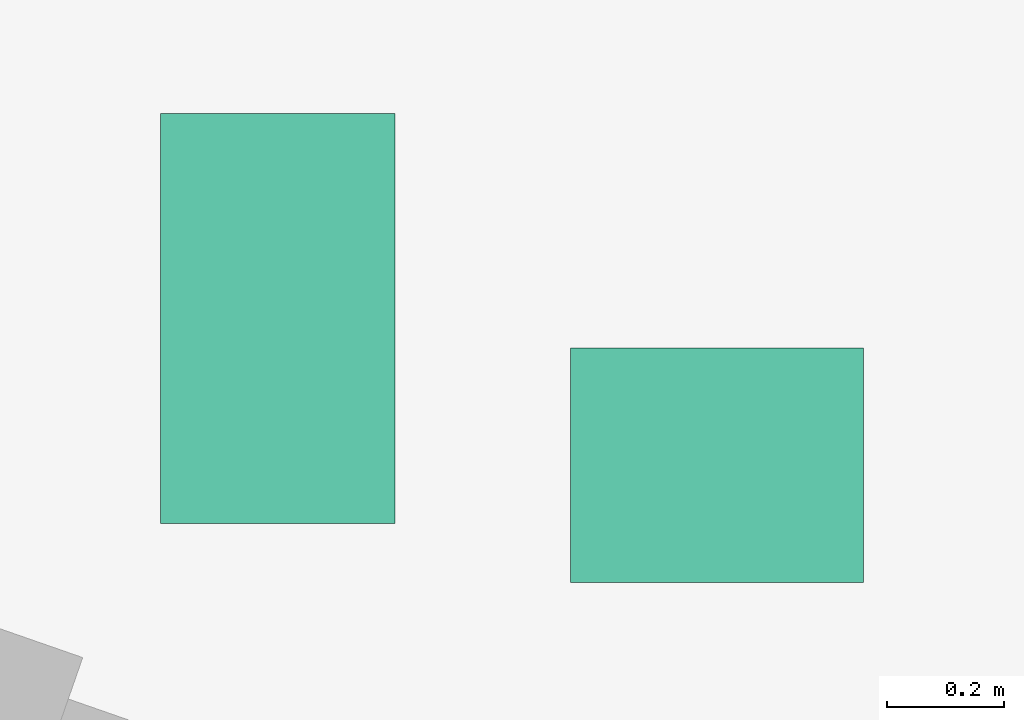
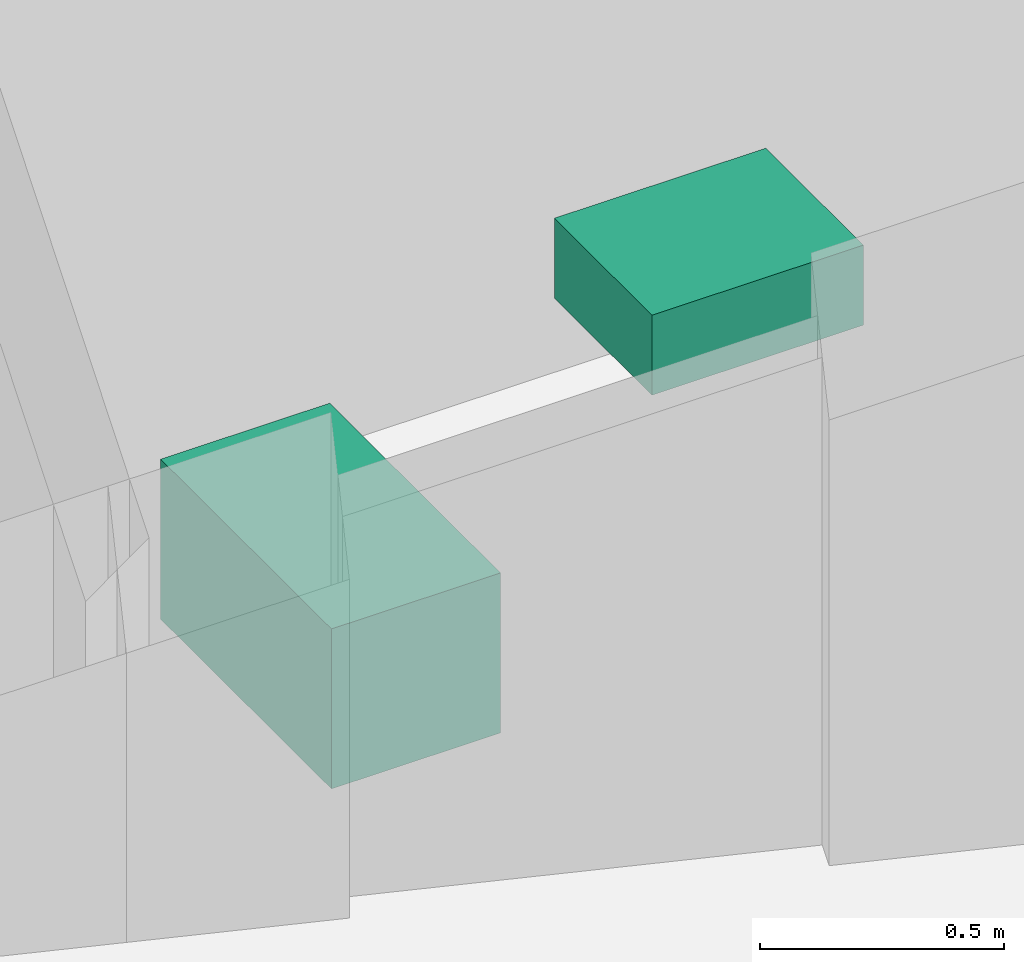
# One storey, part 15 of 15: 2 sanitary terminals.
"""IFC4 building model written with IfcOpenShell, lengths in metres."""

from ifc_helpers import new_model, si_unit, direction, frame, origin, origin_2d, place, context, subcontext, project, spatial, rectangle, extrude, material, type_object, element, save


model = new_model("IFC4")

# Units and contexts
model_context = context("Model", 3, precision=1e-05, world=origin(), true_north=direction((0.0, 1.0)))
body_context = subcontext(model_context, "Body", "Model", "MODEL_VIEW")
ifc_project = project(units=[si_unit("LENGTHUNIT", "METRE"), si_unit("AREAUNIT", "SQUARE_METRE"), si_unit("VOLUMEUNIT", "CUBIC_METRE"), si_unit("PLANEANGLEUNIT", "RADIAN"), si_unit("MASSUNIT", "GRAM", prefix="KILO")], contexts=[model_context])

# Site, building, storey
site_placement = place(None, origin())
site = spatial("IfcSite", under=ifc_project, at=site_placement, CompositionType="ELEMENT")
building_placement = place(site_placement, origin())
building = spatial("IfcBuilding", under=site, at=building_placement, Name="Ostrand Prow Hotel Tower", CompositionType="ELEMENT")
storey_placement = place(building_placement, frame((0.0, 0.0, 263.300048828125)))
storey = spatial("IfcBuildingStorey", under=building, at=storey_placement, Name="L66", CompositionType="ELEMENT", Elevation=263.300048828125)

# Sanitary terminals
ifc_material_1 = material(Name="Vitreous china")
sanitary_terminal_type_1 = type_object("IfcSanitaryTerminalType", Name="WC pan 360x700", PredefinedType="TOILETPAN", material=ifc_material_1)
sanitary_terminal_1_placement = place(storey_placement, frame((35.43701171875, -2.16748046875, 0.0), z_axis=(0.0, 0.0, 1.0), x_axis=(1.0, 0.0, 0.0)))
element("IfcSanitaryTerminal", 1, at=sanitary_terminal_1_placement, inside=storey, type_object=sanitary_terminal_type_1, Name="PAN", PredefinedType="TOILETPAN", context=body_context, shape_type="SweptSolid", body=[
    extrude(rectangle(XDim=0.39990234375, YDim=0.699951171875, at=origin_2d()), origin(), (0.0, 0.0, 1.0), 0.39990234375),
])
ifc_material_2 = material(Name="Vitreous china")
sanitary_terminal_type_2 = type_object("IfcSanitaryTerminalType", Name="Wash hand basin 500x400", PredefinedType="WASHHANDBASIN", material=ifc_material_2)
sanitary_terminal_2_placement = place(storey_placement, frame((36.18701171875, -2.41748046875, 0.7998046875), z_axis=(0.0, 0.0, 1.0), x_axis=(1.0, 0.0, 0.0)))
element("IfcSanitaryTerminal", 2, at=sanitary_terminal_2_placement, inside=storey, type_object=sanitary_terminal_type_2, Name="WASH HAND BASIN", PredefinedType="WASHHANDBASIN", context=body_context, shape_type="SweptSolid", body=[
    extrude(rectangle(XDim=0.5, YDim=0.39990234375, at=origin_2d()), origin(), (0.0, 0.0, 1.0), 0.199951171875),
])

save(model, "model.ifc")
